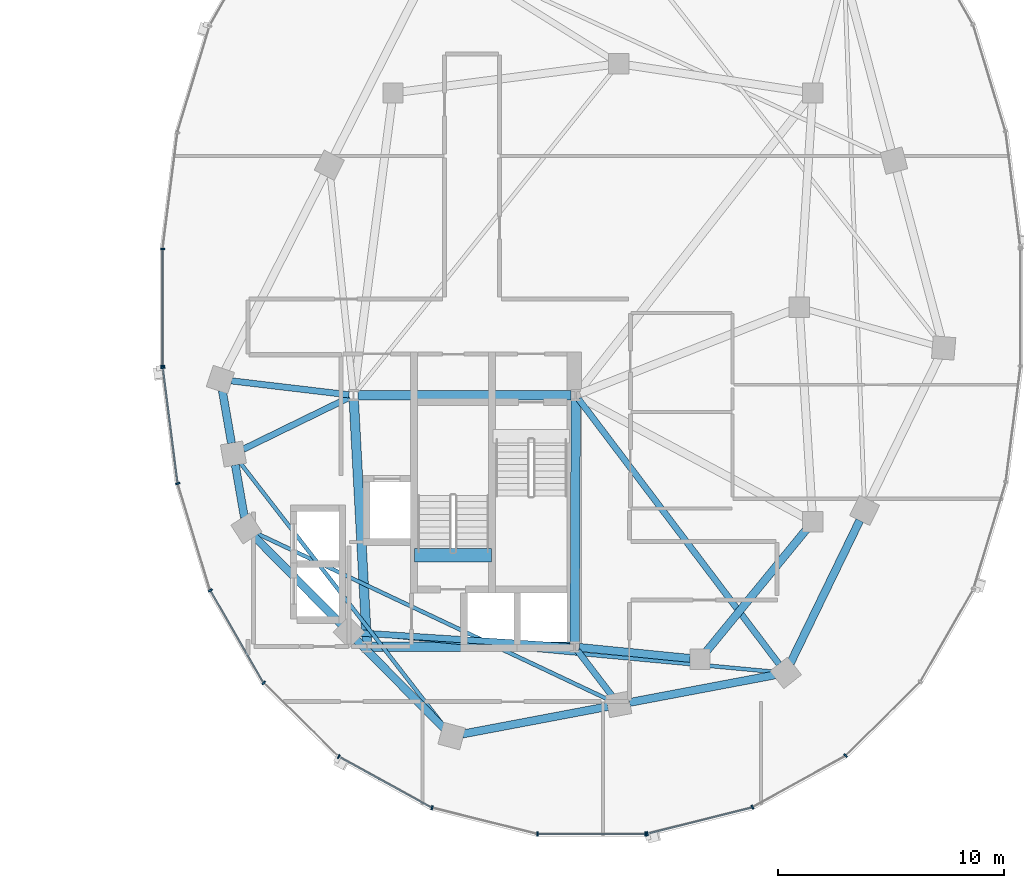
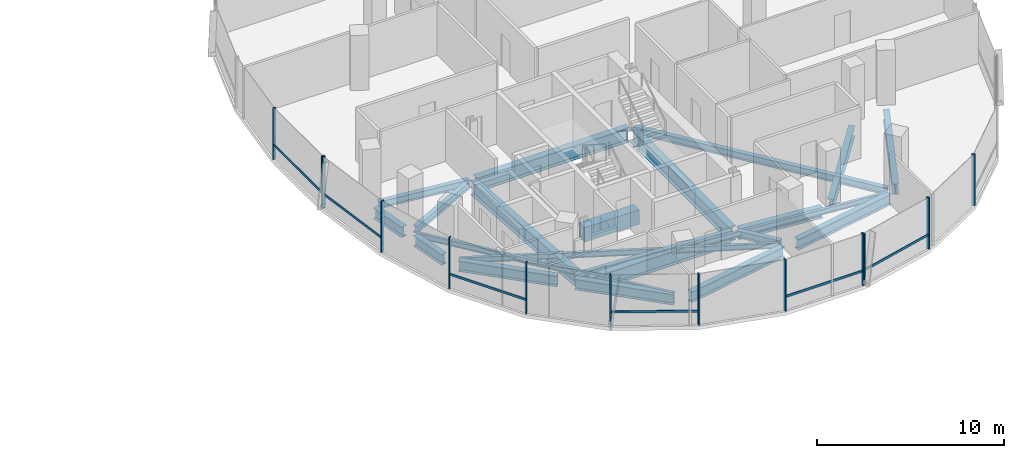
# One storey, part 6 of 23: 22 beams, 19 members, 3 elements without a shape of their own.
"""IFC4 building model written with IfcOpenShell, lengths in metres."""

from ifc_helpers import new_model, si_unit, direction, frame, origin, origin_2d, place, context, subcontext, project, spatial, rectangle, i_section, extrude, material, material_profile, profile_set, type_object, element, aggregate, save


model = new_model("IFC4")

# Units and contexts
model_context = context("Model", 3, precision=1e-05, world=origin(), true_north=direction((0.0, 1.0)))
body_context = subcontext(model_context, "Body", "Model", "MODEL_VIEW")
ifc_project = project(units=[si_unit("LENGTHUNIT", "METRE"), si_unit("AREAUNIT", "SQUARE_METRE"), si_unit("VOLUMEUNIT", "CUBIC_METRE"), si_unit("PLANEANGLEUNIT", "RADIAN"), si_unit("MASSUNIT", "GRAM", prefix="KILO"), si_unit("THERMODYNAMICTEMPERATUREUNIT", "KELVIN"), si_unit("POWERUNIT", "WATT")], contexts=[model_context])

# Site, building, storey
site_placement = place(None, origin())
site = spatial("IfcSite", under=ifc_project, at=site_placement, CompositionType="ELEMENT")
building_placement = place(site_placement, origin())
building = spatial("IfcBuilding", under=site, at=building_placement, Name="Cundina Bronze Exchange", CompositionType="ELEMENT")
storey_placement = place(building_placement, frame((0.0, 0.0, 172.800048828125)))
storey = spatial("IfcBuildingStorey", under=building, at=storey_placement, Name="L45", CompositionType="ELEMENT", Elevation=172.800048828125)

# Beams
ifc_material_1 = material(Name="Concrete C60/75", Category="concrete")
ifc_material_profile_1 = material_profile(ifc_material_1, rectangle(XDim=0.60009765625, YDim=0.949951171875, at=origin_2d()), Name="RC600X950", Category="concrete")
ifc_profile_set_1 = profile_set([ifc_material_profile_1], Name="Concrete C60/75")
beam_type_1 = type_object("IfcBeamType", Name="BM-COUP-RC950", PredefinedType="LINTEL", material=ifc_profile_set_1)
beam_1_placement = place(storey_placement, frame((24.159912109375, -10.97998046875, -0.47509765625), z_axis=(1.0, 0.0, 0.0), x_axis=(0.0, 1.0, 0.0)))
element("IfcBeam", 1, at=beam_1_placement, inside=storey, type_object=beam_type_1, Name="L45 Stair E2 Landing Header Beam", PredefinedType="LINTEL", context=body_context, shape_type="SweptSolid", body=[
    extrude(rectangle(XDim=0.60009765625, YDim=0.949951171875, at=origin_2d()), origin(), (0.0, 0.0, 1.0), 3.400146484375),
])
ifc_material_2 = material(Name="Steel ASTM A992 Grade 50", Category="steel")
ifc_material_profile_2 = material_profile(ifc_material_2, i_section(OverallWidth=0.280029296875, OverallDepth=0.462890625, WebThickness=0.0107421875, FlangeThickness=0.017333984375, FilletRadius=0.011962890625, at=origin_2d()), Name="W18X76", Category="steel")
ifc_profile_set_2 = profile_set([ifc_material_profile_2], Name="Steel ASTM A992 Grade 50")
beam_type_2 = type_object("IfcBeamType", Name="BM-FLR-W18A", PredefinedType="BEAM", material=ifc_profile_set_2)
beam_2_placement = place(storey_placement, frame((21.247314453125, -3.8759765625, -0.471435546875), z_axis=(-0.993036158382, 0.11780996624, 0.0), x_axis=(-0.11780996624, -0.993036158382, 0.0)))
element("IfcBeam", 2, at=beam_2_placement, inside=storey, type_object=beam_type_2, Name="L45 Leg E Chordal Floor Beam 00", PredefinedType="BEAM", context=body_context, shape_type="SweptSolid", body=[
    extrude(i_section(OverallWidth=0.280029296875, OverallDepth=0.462890625, WebThickness=0.0107421875, FlangeThickness=0.017333984375, FilletRadius=0.011962890625, at=origin_2d()), origin(), (0.0, 0.0, 1.0), 5.249267578125),
])
beam_3_placement = place(storey_placement, frame((21.2666015625, -3.989501953125, -0.471435546875), z_axis=(-0.898604300669, -0.438759969481, 0.0), x_axis=(0.438759969481, -0.898604300669, 0.0)))
element("IfcBeam", 3, at=beam_3_placement, inside=storey, type_object=beam_type_2, Name="L45 Leg E Chordal Floor Beam 01", PredefinedType="BEAM", context=body_context, shape_type="SweptSolid", body=[
    extrude(i_section(OverallWidth=0.280029296875, OverallDepth=0.462890625, WebThickness=0.0107421875, FlangeThickness=0.017333984375, FilletRadius=0.011962890625, at=origin_2d()), origin(), (0.0, 0.0, 1.0), 5.23388671875),
])
beam_4_placement = place(storey_placement, frame((31.04638671875, -15.036865234375, -0.471435546875), z_axis=(-0.99789334888, 0.064875760192, 0.0), x_axis=(-0.064875760192, -0.99789334888, 0.0)))
element("IfcBeam", 4, at=beam_4_placement, inside=storey, type_object=beam_type_2, Name="L45 Leg E Chordal Floor Beam 03", PredefinedType="BEAM", context=body_context, shape_type="SweptSolid", body=[
    extrude(i_section(OverallWidth=0.280029296875, OverallDepth=0.462890625, WebThickness=0.0107421875, FlangeThickness=0.017333984375, FilletRadius=0.011962890625, at=origin_2d()), origin(), (0.0, 0.0, 1.0), 9.328857421875),
])
beam_5_placement = place(storey_placement, frame((31.373779296875, -15.2119140625, -0.471435546875), z_axis=(0.607450107571, -0.794357832977, 0.0), x_axis=(0.794357832977, 0.607450107571, 0.0)))
element("IfcBeam", 5, at=beam_5_placement, inside=storey, type_object=beam_type_2, Name="L45 Leg E Chordal Floor Beam 05", PredefinedType="BEAM", context=body_context, shape_type="SweptSolid", body=[
    extrude(i_section(OverallWidth=0.280029296875, OverallDepth=0.462890625, WebThickness=0.0107421875, FlangeThickness=0.017333984375, FilletRadius=0.011962890625, at=origin_2d()), origin(), (0.0, 0.0, 1.0), 2.518310546875),
])
beam_6_placement = place(storey_placement, frame((31.423095703125, -4.062744140625, -0.471435546875), z_axis=(0.603103901721, -0.797662637792, 0.0), x_axis=(0.797662637792, 0.603103901721, 0.0)))
element("IfcBeam", 6, at=beam_6_placement, inside=storey, type_object=beam_type_2, Name="L45 Leg E Chordal Floor Beam 06", PredefinedType="BEAM", context=body_context, shape_type="SweptSolid", body=[
    extrude(i_section(OverallWidth=0.280029296875, OverallDepth=0.462890625, WebThickness=0.0107421875, FlangeThickness=0.017333984375, FilletRadius=0.011962890625, at=origin_2d()), origin(), (0.0, 0.0, 1.0), 14.72802734375),
])
ifc_material_profile_3 = material_profile(ifc_material_2, i_section(OverallWidth=0.172119140625, OverallDepth=0.35791015625, WebThickness=0.0078125, FlangeThickness=0.01318359375, FilletRadius=0.010009765625, at=origin_2d()), Name="W14X38", Category="steel")
ifc_profile_set_3 = profile_set([ifc_material_profile_3], Name="Steel ASTM A992 Grade 50")
beam_type_3 = type_object("IfcBeamType", Name="BM-JST-W14", PredefinedType="JOIST", material=ifc_profile_set_3)
beam_7_placement = place(storey_placement, frame((16.423583984375, -6.885986328125, -0.4189453125), z_axis=(0.61208354334, -0.790793105668, 0.0), x_axis=(0.790793105668, 0.61208354334, 0.0)))
element("IfcBeam", 7, at=beam_7_placement, inside=storey, type_object=beam_type_3, Name="L45 Leg E Lobe Floor Joist 01-04", PredefinedType="JOIST", context=body_context, shape_type="SweptSolid", body=[
    extrude(i_section(OverallWidth=0.172119140625, OverallDepth=0.35791015625, WebThickness=0.0078125, FlangeThickness=0.01318359375, FilletRadius=0.010009765625, at=origin_2d()), origin(), (0.0, 0.0, 1.0), 14.830810546875),
])
beam_8_placement = place(storey_placement, frame((17.14111328125, -10.008544921875, -0.4189453125), z_axis=(0.904074252188, -0.427375416385, 0.0), x_axis=(0.427375416385, 0.904074252188, 0.0)))
element("IfcBeam", 8, at=beam_8_placement, inside=storey, type_object=beam_type_3, Name="L45 Leg E Lobe Floor Joist 02-05", PredefinedType="JOIST", context=body_context, shape_type="SweptSolid", body=[
    extrude(i_section(OverallWidth=0.172119140625, OverallDepth=0.35791015625, WebThickness=0.0078125, FlangeThickness=0.01318359375, FilletRadius=0.010009765625, at=origin_2d()), origin(), (0.0, 0.0, 1.0), 17.274658203125),
])
beam_9_placement = place(storey_placement, frame((21.73583984375, -14.4453125, -0.4189453125), z_axis=(0.995701840093, -0.092616659595, 0.0), x_axis=(0.092616659595, 0.995701840093, 0.0)))
element("IfcBeam", 9, at=beam_9_placement, inside=storey, type_object=beam_type_3, Name="L45 Leg E Lobe Floor Joist 03-06", PredefinedType="JOIST", context=body_context, shape_type="SweptSolid", body=[
    extrude(i_section(OverallWidth=0.172119140625, OverallDepth=0.35791015625, WebThickness=0.0078125, FlangeThickness=0.01318359375, FilletRadius=0.010009765625, at=origin_2d()), origin(), (0.0, 0.0, 1.0), 18.45751953125),
])
ifc_material_profile_4 = material_profile(ifc_material_2, i_section(OverallWidth=0.35498046875, OverallDepth=0.695068359375, WebThickness=0.015380859375, FlangeThickness=0.02490234375, FilletRadius=0.01806640625, at=origin_2d()), Name="W27X146", Category="steel")
ifc_profile_set_4 = profile_set([ifc_material_profile_4], Name="Steel ASTM A992 Grade 50")
beam_type_4 = type_object("IfcBeamType", Name="BM-RING-W27", PredefinedType="USERDEFINED", material=ifc_profile_set_4)
beam_10_placement = place(storey_placement, frame((31.452880859375, -15.070068359375, -0.587646484375), z_axis=(0.995123020608, -0.098641643622, 0.0), x_axis=(0.098641643622, 0.995123020608, 0.0)))
element("IfcBeam", 10, at=beam_10_placement, inside=storey, type_object=beam_type_4, Name="L45 E Inner Structural Ring Girder 01", ObjectType="GIRDER", PredefinedType="USERDEFINED", context=body_context, shape_type="SweptSolid", body=[
    extrude(i_section(OverallWidth=0.35498046875, OverallDepth=0.695068359375, WebThickness=0.015380859375, FlangeThickness=0.02490234375, FilletRadius=0.01806640625, at=origin_2d()), origin(), (0.0, 0.0, 1.0), 4.935302734375),
])
beam_11_placement = place(storey_placement, frame((37.07763671875, -15.26123046875, -0.587646484375), z_axis=(0.633912590175, 0.77340469873, 0.0), x_axis=(-0.77340469873, 0.633912590175, 0.0)))
element("IfcBeam", 11, at=beam_11_placement, inside=storey, type_object=beam_type_4, Name="L45 E Inner Structural Ring Girder 02", ObjectType="GIRDER", PredefinedType="USERDEFINED", context=body_context, shape_type="SweptSolid", body=[
    extrude(i_section(OverallWidth=0.35498046875, OverallDepth=0.695068359375, WebThickness=0.015380859375, FlangeThickness=0.02490234375, FilletRadius=0.01806640625, at=origin_2d()), origin(), (0.0, 0.0, 1.0), 7.01123046875),
])
for number, where, z_axis, x_axis, name in (
    (12, (15.6337890625, -3.680908203125, -0.587646484375), (0.171666718895, -0.985155083032, 0.0), (0.985155083032, 0.171666718895, 0.0), "L45 E Perimeter Ring Girder 00"),
    (13, (16.208740234375, -6.980712890625, -0.587646484375), (0.171666718895, -0.985155083032, 0.0), (0.985155083032, 0.171666718895, 0.0), "L45 E Perimeter Ring Girder 01"),
):
    element("IfcBeam", number, at=place(storey_placement, frame(where, z_axis=z_axis, x_axis=x_axis)), inside=storey, type_object=beam_type_4, Name=name, ObjectType="GIRDER", PredefinedType="USERDEFINED", context=body_context, shape_type="SweptSolid", body=[
        extrude(i_section(OverallWidth=0.35498046875, OverallDepth=0.695068359375, WebThickness=0.015380859375, FlangeThickness=0.02490234375, FilletRadius=0.01806640625, at=origin_2d()), origin(), (0.0, 0.0, 1.0), 2.37353515625),
    ])
beam_12_placement = place(storey_placement, frame((17.043212890625, -10.14697265625, -0.587646484375), z_axis=(0.703230112979, -0.710962311378, 0.0), x_axis=(0.710962311378, 0.703230112979, 0.0)))
element("IfcBeam", 14, at=beam_12_placement, inside=storey, type_object=beam_type_4, Name="L45 E Perimeter Ring Girder 02", ObjectType="GIRDER", PredefinedType="USERDEFINED", context=body_context, shape_type="SweptSolid", body=[
    extrude(i_section(OverallWidth=0.35498046875, OverallDepth=0.695068359375, WebThickness=0.015380859375, FlangeThickness=0.02490234375, FilletRadius=0.01806640625, at=origin_2d()), origin(), (0.0, 0.0, 1.0), 5.493896484375),
])
beam_13_placement = place(storey_placement, frame((21.59326171875, -14.746826171875, -0.587646484375), z_axis=(0.703207895705, -0.710984286337, 0.0), x_axis=(0.710984286337, 0.703207895705, 0.0)))
element("IfcBeam", 15, at=beam_13_placement, inside=storey, type_object=beam_type_4, Name="L45 E Perimeter Ring Girder 03", ObjectType="GIRDER", PredefinedType="USERDEFINED", context=body_context, shape_type="SweptSolid", body=[
    extrude(i_section(OverallWidth=0.35498046875, OverallDepth=0.695068359375, WebThickness=0.015380859375, FlangeThickness=0.02490234375, FilletRadius=0.01806640625, at=origin_2d()), origin(), (0.0, 0.0, 1.0), 5.494140625),
])
beam_14_placement = place(storey_placement, frame((26.279541015625, -18.9091796875, -0.587646484375), z_axis=(0.982571532667, 0.185884865421, 0.0), x_axis=(-0.185884865421, 0.982571532667, 0.0)))
element("IfcBeam", 16, at=beam_14_placement, inside=storey, type_object=beam_type_4, Name="L45 E Perimeter Ring Girder 04", ObjectType="GIRDER", PredefinedType="USERDEFINED", context=body_context, shape_type="SweptSolid", body=[
    extrude(i_section(OverallWidth=0.35498046875, OverallDepth=0.695068359375, WebThickness=0.015380859375, FlangeThickness=0.02490234375, FilletRadius=0.01806640625, at=origin_2d()), origin(), (0.0, 0.0, 1.0), 6.55517578125),
])
beam_15_placement = place(storey_placement, frame((33.679443359375, -17.50927734375, -0.587646484375), z_axis=(0.982572819495, 0.185878063226, 0.0), x_axis=(-0.185878063226, 0.982572819495, 0.0)))
element("IfcBeam", 17, at=beam_15_placement, inside=storey, type_object=beam_type_4, Name="L45 E Perimeter Ring Girder 05", ObjectType="GIRDER", PredefinedType="USERDEFINED", context=body_context, shape_type="SweptSolid", body=[
    extrude(i_section(OverallWidth=0.35498046875, OverallDepth=0.695068359375, WebThickness=0.015380859375, FlangeThickness=0.02490234375, FilletRadius=0.01806640625, at=origin_2d()), origin(), (0.0, 0.0, 1.0), 6.555419921875),
])
beam_16_placement = place(storey_placement, frame((40.8134765625, -15.760986328125, -0.587646484375), z_axis=(0.437196998825, 0.89936576776, 0.0), x_axis=(-0.89936576776, 0.437196998825, 0.0)))
element("IfcBeam", 18, at=beam_16_placement, inside=storey, type_object=beam_type_4, Name="L45 E Perimeter Ring Girder 06", ObjectType="GIRDER", PredefinedType="USERDEFINED", context=body_context, shape_type="SweptSolid", body=[
    extrude(i_section(OverallWidth=0.35498046875, OverallDepth=0.695068359375, WebThickness=0.015380859375, FlangeThickness=0.02490234375, FilletRadius=0.01806640625, at=origin_2d()), origin(), (0.0, 0.0, 1.0), 7.029541015625),
])
ifc_material_profile_5 = material_profile(ifc_material_2, i_section(OverallWidth=0.41796875, OverallDepth=0.927001953125, WebThickness=0.019287109375, FlangeThickness=0.031982421875, FilletRadius=0.02392578125, at=origin_2d()), Name="W36X231", Category="steel")
ifc_profile_set_5 = profile_set([ifc_material_profile_5], Name="Steel ASTM A992 Grade 50")
beam_type_5 = type_object("IfcBeamType", Name="BM-WRN-W36B", PredefinedType="USERDEFINED", material=ifc_profile_set_5)
beam_17_placement = place(storey_placement, frame((31.095947265625, -3.89990234375, -0.70361328125), z_axis=(-1.0, 0.0, 0.0), x_axis=(0.0, -1.0, 0.0)))
element("IfcBeam", 19, at=beam_17_placement, inside=storey, type_object=beam_type_5, Name="L45 E Core Perimeter Tie Girder 1", ObjectType="GIRDER", PredefinedType="USERDEFINED", context=body_context, shape_type="SweptSolid", body=[
    extrude(i_section(OverallWidth=0.41796875, OverallDepth=0.927001953125, WebThickness=0.019287109375, FlangeThickness=0.031982421875, FilletRadius=0.02392578125, at=origin_2d()), origin(), (0.0, 0.0, 1.0), 9.44189453125),
])
beam_18_placement = place(storey_placement, frame((21.4609375, -4.103759765625, -0.70361328125), z_axis=(0.053739193498, -0.998555005537, 0.0), x_axis=(0.998555005537, 0.053739193498, 0.0)))
element("IfcBeam", 20, at=beam_18_placement, inside=storey, type_object=beam_type_5, Name="L45 E Core Perimeter Tie Girder 2", ObjectType="GIRDER", PredefinedType="USERDEFINED", context=body_context, shape_type="SweptSolid", body=[
    extrude(i_section(OverallWidth=0.41796875, OverallDepth=0.927001953125, WebThickness=0.019287109375, FlangeThickness=0.031982421875, FilletRadius=0.02392578125, at=origin_2d()), origin(), (0.0, 0.0, 1.0), 10.758056640625),
])
beam_19_placement = place(storey_placement, frame((22.25390625, -15.050048828125, -0.70361328125), z_axis=(1.0, 0.0, 0.0), x_axis=(0.0, 1.0, 0.0)))
element("IfcBeam", 21, at=beam_19_placement, inside=storey, type_object=beam_type_5, Name="L45 E Core Perimeter Tie Girder 3", ObjectType="GIRDER", PredefinedType="USERDEFINED", context=body_context, shape_type="SweptSolid", body=[
    extrude(i_section(OverallWidth=0.41796875, OverallDepth=0.927001953125, WebThickness=0.019287109375, FlangeThickness=0.031982421875, FilletRadius=0.02392578125, at=origin_2d()), origin(), (0.0, 0.0, 1.0), 8.7919921875),
])
beam_20_placement = place(storey_placement, frame((31.2509765625, -14.845947265625, -0.70361328125), z_axis=(0.004477329608, 0.99998997671, 0.0), x_axis=(-0.99998997671, 0.004477329608, 0.0)))
element("IfcBeam", 22, at=beam_20_placement, inside=storey, type_object=beam_type_5, Name="L45 E Core Perimeter Tie Girder 4", ObjectType="GIRDER", PredefinedType="USERDEFINED", context=body_context, shape_type="SweptSolid", body=[
    extrude(i_section(OverallWidth=0.41796875, OverallDepth=0.927001953125, WebThickness=0.019287109375, FlangeThickness=0.031982421875, FilletRadius=0.02392578125, at=origin_2d()), origin(), (0.0, 0.0, 1.0), 10.741943359375),
])

# Curtain wall, members
ifc_material_3 = material(Name="Anodised Bronze Aluminium 6063-T6", Category="aluminium")
curtain_wall_type = type_object("IfcCurtainWallType", Name="CWS-WST-PIN", PredefinedType="NOTDEFINED", material=ifc_material_3)
curtain_wall_1_placement = place(storey_placement, origin())
curtain_wall_1 = element("IfcCurtainWall", 23, at=curtain_wall_1_placement, inside=storey, type_object=curtain_wall_type, Name="L45 CW-04 Curtain Wall Run CWR-L45-E2", PredefinedType="NOTDEFINED")
ifc_material_profile_6 = material_profile(ifc_material_3, rectangle(XDim=0.070068359375, YDim=0.18994140625, at=origin_2d()), Name="AL70X190", Category="aluminium")
ifc_profile_set_6 = profile_set([ifc_material_profile_6], Name="Anodised Bronze Aluminium 6063-T6")
member_type_1 = type_object("IfcMemberType", Name="CWM-MUL-190", PredefinedType="MULLION", material=ifc_profile_set_6)
member_1_placement = place(storey_placement, frame((12.992919921875, 2.593017578125, 0.0), z_axis=(0.0, 0.0, 1.0), x_axis=(0.0, -1.0, 0.0)))
member_1 = element("IfcMember", 24, at=member_1_placement, type_object=member_type_1, Name="CW-04 Mullion 7", PredefinedType="MULLION", context=body_context, shape_type="SweptSolid", body=[
    extrude(rectangle(XDim=0.070068359375, YDim=0.18994140625, at=origin_2d()), origin(), (0.0, 0.0, 1.0), 3.35986328125),
])
member_2_placement = place(storey_placement, frame((12.992919921875, -2.593017578125, 0.0), z_axis=(0.0, 0.0, 1.0), x_axis=(0.0, -1.0, 0.0)))
member_2 = element("IfcMember", 25, at=member_2_placement, type_object=member_type_1, Name="CW-04 End Mullion", PredefinedType="MULLION", context=body_context, shape_type="SweptSolid", body=[
    extrude(rectangle(XDim=0.070068359375, YDim=0.18994140625, at=origin_2d()), origin(), (0.0, 0.0, 1.0), 3.35986328125),
])

curtain_wall_2_placement = place(storey_placement, origin())
curtain_wall_2 = element("IfcCurtainWall", 26, at=curtain_wall_2_placement, inside=storey, type_object=curtain_wall_type, Name="L45 CW-04 Curtain Wall Run CWR-L45-E3", PredefinedType="NOTDEFINED")
member_3_placement = place(storey_placement, frame((12.998291015625, -2.676025390625, 0.0), z_axis=(0.0, 0.0, 1.0), x_axis=(0.126545236492, -0.991960837494, 0.0)))
member_3 = element("IfcMember", 27, at=member_3_placement, type_object=member_type_1, Name="CW-04 Mullion 1", PredefinedType="MULLION", context=body_context, shape_type="SweptSolid", body=[
    extrude(rectangle(XDim=0.070068359375, YDim=0.18994140625, at=origin_2d()), origin(), (0.0, 0.0, 1.0), 3.35986328125),
])
member_4_placement = place(storey_placement, frame((13.6591796875, -7.80859375, 0.0), z_axis=(0.0, 0.0, 1.0), x_axis=(0.290034140915, -0.957016299288, 0.0)))
member_4 = element("IfcMember", 28, at=member_4_placement, type_object=member_type_1, Name="CW-04 Mullion 2", PredefinedType="MULLION", context=body_context, shape_type="SweptSolid", body=[
    extrude(rectangle(XDim=0.070068359375, YDim=0.18994140625, at=origin_2d()), origin(), (0.0, 0.0, 1.0), 3.35986328125),
])
member_5_placement = place(storey_placement, frame((15.10205078125, -12.541259765625, 0.0), z_axis=(0.0, 0.0, 1.0), x_axis=(0.498487739754, -0.866896748936, 0.0)))
member_5 = element("IfcMember", 29, at=member_5_placement, type_object=member_type_1, Name="CW-04 Mullion 3", PredefinedType="MULLION", context=body_context, shape_type="SweptSolid", body=[
    extrude(rectangle(XDim=0.070068359375, YDim=0.18994140625, at=origin_2d()), origin(), (0.0, 0.0, 1.0), 3.35986328125),
])
member_6_placement = place(storey_placement, frame((17.469482421875, -16.640380859375, 0.0), z_axis=(0.0, 0.0, 1.0), x_axis=(0.712026045991, -0.702153052995, 0.0)))
member_6 = element("IfcMember", 30, at=member_6_placement, type_object=member_type_1, Name="CW-04 Mullion 4", PredefinedType="MULLION", context=body_context, shape_type="SweptSolid", body=[
    extrude(rectangle(XDim=0.070068359375, YDim=0.18994140625, at=origin_2d()), origin(), (0.0, 0.0, 1.0), 3.35986328125),
])
member_7_placement = place(storey_placement, frame((20.79345703125, -19.906005859375, 0.0), z_axis=(0.0, 0.0, 1.0), x_axis=(0.875885937035, -0.482518212408, 0.0)))
member_7 = element("IfcMember", 31, at=member_7_placement, type_object=member_type_1, Name="CW-04 Mullion 5", PredefinedType="MULLION", context=body_context, shape_type="SweptSolid", body=[
    extrude(rectangle(XDim=0.070068359375, YDim=0.18994140625, at=origin_2d()), origin(), (0.0, 0.0, 1.0), 3.35986328125),
])
member_8_placement = place(storey_placement, frame((24.932373046875, -22.17626953125, 0.0), z_axis=(0.0, 0.0, 1.0), x_axis=(0.970084240161, -0.242768546132, 0.0)))
member_8 = element("IfcMember", 32, at=member_8_placement, type_object=member_type_1, Name="CW-04 Mullion 6", PredefinedType="MULLION", context=body_context, shape_type="SweptSolid", body=[
    extrude(rectangle(XDim=0.070068359375, YDim=0.18994140625, at=origin_2d()), origin(), (0.0, 0.0, 1.0), 3.35986328125),
])
member_9_placement = place(storey_placement, frame((29.60595703125, -23.3369140625, 0.0), z_axis=(0.0, 0.0, 1.0), x_axis=(1.0, 0.0, 0.0)))
member_9 = element("IfcMember", 33, at=member_9_placement, type_object=member_type_1, Name="CW-04 Mullion 7", PredefinedType="MULLION", context=body_context, shape_type="SweptSolid", body=[
    extrude(rectangle(XDim=0.070068359375, YDim=0.18994140625, at=origin_2d()), origin(), (0.0, 0.0, 1.0), 3.35986328125),
])
member_10_placement = place(storey_placement, frame((34.39404296875, -23.3369140625, 0.0), z_axis=(0.0, 0.0, 1.0), x_axis=(1.0, 0.0, 0.0)))
member_10 = element("IfcMember", 34, at=member_10_placement, type_object=member_type_1, Name="CW-04 End Mullion", PredefinedType="MULLION", context=body_context, shape_type="SweptSolid", body=[
    extrude(rectangle(XDim=0.070068359375, YDim=0.18994140625, at=origin_2d()), origin(), (0.0, 0.0, 1.0), 3.35986328125),
])

curtain_wall_3_placement = place(storey_placement, origin())
curtain_wall_3 = element("IfcCurtainWall", 35, at=curtain_wall_3_placement, inside=storey, type_object=curtain_wall_type, Name="L45 CW-04 Curtain Wall Run CWR-L45-E4", PredefinedType="NOTDEFINED")
member_11_placement = place(storey_placement, frame((34.462646484375, -23.32861328125, 0.0), z_axis=(0.0, 0.0, 1.0), x_axis=(0.970084240161, 0.242768546132, 0.0)))
member_11 = element("IfcMember", 36, at=member_11_placement, type_object=member_type_1, Name="CW-04 Mullion 1", PredefinedType="MULLION", context=body_context, shape_type="SweptSolid", body=[
    extrude(rectangle(XDim=0.070068359375, YDim=0.18994140625, at=origin_2d()), origin(), (0.0, 0.0, 1.0), 3.35986328125),
])
member_12_placement = place(storey_placement, frame((39.13037109375, -22.151611328125, 0.0), z_axis=(0.0, 0.0, 1.0), x_axis=(0.875885937035, 0.482518212408, 0.0)))
member_12 = element("IfcMember", 37, at=member_12_placement, type_object=member_type_1, Name="CW-04 Mullion 2", PredefinedType="MULLION", context=body_context, shape_type="SweptSolid", body=[
    extrude(rectangle(XDim=0.070068359375, YDim=0.18994140625, at=origin_2d()), origin(), (0.0, 0.0, 1.0), 3.35986328125),
])
member_13_placement = place(storey_placement, frame((43.259033203125, -19.86669921875, 0.0), z_axis=(0.0, 0.0, 1.0), x_axis=(0.712026045991, 0.702153052995, 0.0)))
member_13 = element("IfcMember", 38, at=member_13_placement, type_object=member_type_1, Name="CW-04 Mullion 3", PredefinedType="MULLION", context=body_context, shape_type="SweptSolid", body=[
    extrude(rectangle(XDim=0.070068359375, YDim=0.18994140625, at=origin_2d()), origin(), (0.0, 0.0, 1.0), 3.35986328125),
])

# Member
ifc_material_profile_7 = material_profile(ifc_material_3, rectangle(XDim=0.06494140625, YDim=0.14990234375, at=origin_2d()), Name="AL65X150", Category="aluminium")
ifc_profile_set_7 = profile_set([ifc_material_profile_7], Name="Anodised Bronze Aluminium 6063-T6")
member_type_2 = type_object("IfcMemberType", Name="CWM-TRN-150", PredefinedType="USERDEFINED", material=ifc_profile_set_7)
member_14_placement = place(storey_placement, frame((12.992919921875, 2.554443359375, 0.919921875), z_axis=(0.0, -1.0, 0.0), x_axis=(1.0, 0.0, 0.0)))
member_14 = element("IfcMember", 39, at=member_14_placement, type_object=member_type_2, Name="CW-04 Spandrel Transom 7", ObjectType="TRANSOM", PredefinedType="USERDEFINED", context=body_context, shape_type="SweptSolid", body=[
    extrude(rectangle(XDim=0.06494140625, YDim=0.14990234375, at=origin_2d()), origin(), (0.0, 0.0, 1.0), 5.10888671875),
])

aggregate(curtain_wall_1, [member_1, member_2, member_14])

member_15_placement = place(storey_placement, frame((13.003173828125, -2.71435546875, 0.919921875), z_axis=(0.12646340362, -0.991971273548, 0.0), x_axis=(0.991971273548, 0.12646340362, 0.0)))
member_15 = element("IfcMember", 40, at=member_15_placement, type_object=member_type_2, Name="CW-04 Spandrel Transom 1", ObjectType="TRANSOM", PredefinedType="USERDEFINED", context=body_context, shape_type="SweptSolid", body=[
    extrude(rectangle(XDim=0.06494140625, YDim=0.14990234375, at=origin_2d()), origin(), (0.0, 0.0, 1.0), 5.0966796875),
])

member_16_placement = place(storey_placement, frame((15.121337890625, -12.574462890625, 0.919921875), z_axis=(0.498479967047, -0.866901218394, 0.0), x_axis=(0.866901218394, 0.498479967047, 0.0)))
member_16 = element("IfcMember", 41, at=member_16_placement, type_object=member_type_2, Name="CW-04 Spandrel Transom 3", ObjectType="TRANSOM", PredefinedType="USERDEFINED", context=body_context, shape_type="SweptSolid", body=[
    extrude(rectangle(XDim=0.06494140625, YDim=0.14990234375, at=origin_2d()), origin(), (0.0, 0.0, 1.0), 4.66845703125),
])

member_17_placement = place(storey_placement, frame((20.8271484375, -19.924560546875, 0.919921875), z_axis=(0.875878981549, -0.482530838062, 0.0), x_axis=(0.482530838062, 0.875878981549, 0.0)))
member_17 = element("IfcMember", 42, at=member_17_placement, type_object=member_type_2, Name="CW-04 Spandrel Transom 5", ObjectType="TRANSOM", PredefinedType="USERDEFINED", context=body_context, shape_type="SweptSolid", body=[
    extrude(rectangle(XDim=0.06494140625, YDim=0.14990234375, at=origin_2d()), origin(), (0.0, 0.0, 1.0), 4.65380859375),
])

member_18_placement = place(storey_placement, frame((29.64453125, -23.3369140625, 0.919921875), z_axis=(1.0, 0.0, 0.0), x_axis=(0.0, 1.0, 0.0)))
member_18 = element("IfcMember", 43, at=member_18_placement, type_object=member_type_2, Name="CW-04 Spandrel Transom 7", ObjectType="TRANSOM", PredefinedType="USERDEFINED", context=body_context, shape_type="SweptSolid", body=[
    extrude(rectangle(XDim=0.06494140625, YDim=0.14990234375, at=origin_2d()), origin(), (0.0, 0.0, 1.0), 4.7109375),
])

aggregate(curtain_wall_2, [member_3, member_15, member_4, member_5, member_16, member_6, member_7, member_17, member_8, member_9, member_10, member_18])

member_19_placement = place(storey_placement, frame((34.5, -23.319091796875, 0.919921875), z_axis=(0.970100130035, 0.242705042606, 0.0), x_axis=(-0.242705042606, 0.970100130035, 0.0)))
member_19 = element("IfcMember", 44, at=member_19_placement, type_object=member_type_2, Name="CW-04 Spandrel Transom 1", ObjectType="TRANSOM", PredefinedType="USERDEFINED", context=body_context, shape_type="SweptSolid", body=[
    extrude(rectangle(XDim=0.06494140625, YDim=0.14990234375, at=origin_2d()), origin(), (0.0, 0.0, 1.0), 4.746826171875),
])

aggregate(curtain_wall_3, [member_11, member_19, member_12, member_13])

save(model, "model.ifc")
